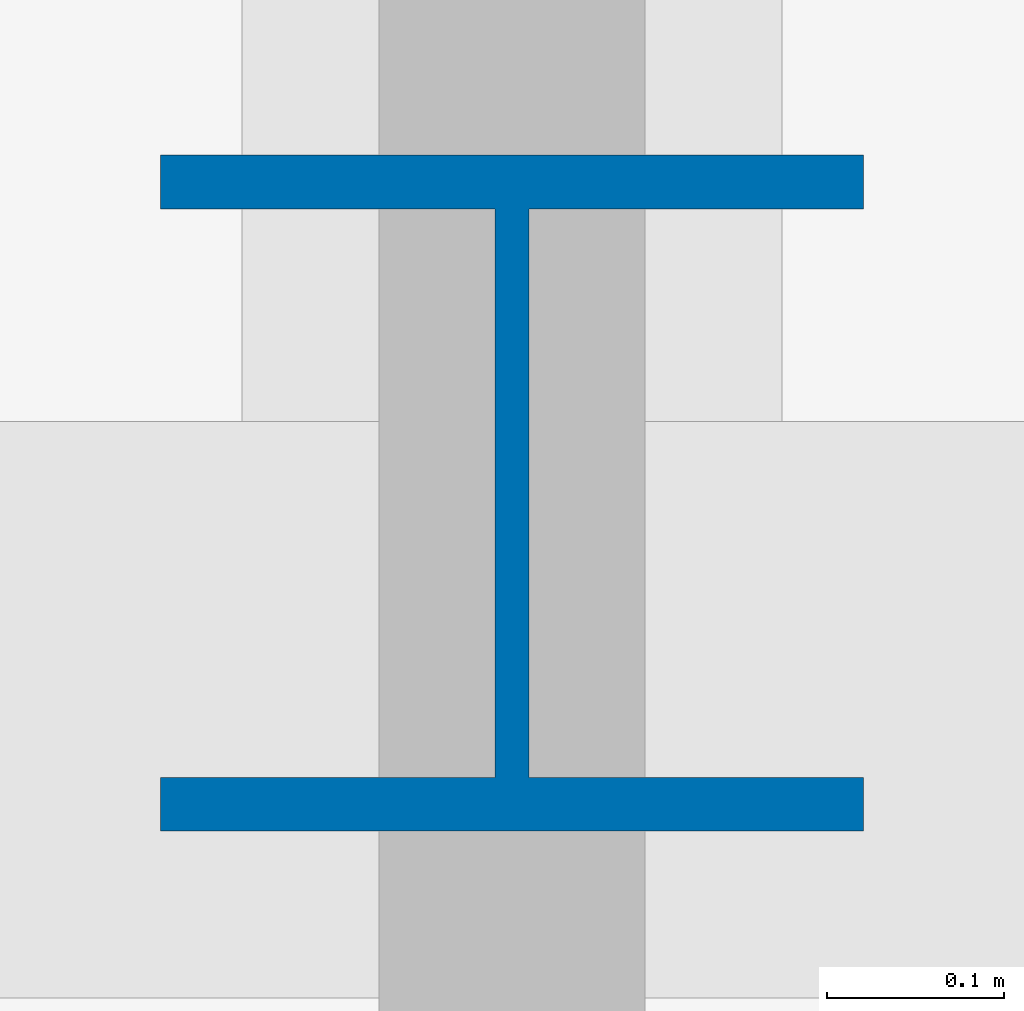
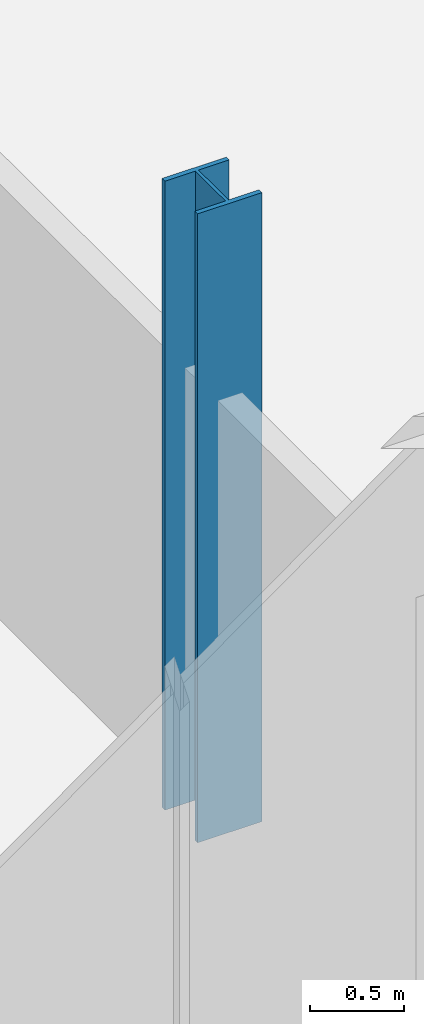
# One storey, part 2 of 21: 1 column.
"""IFC4 building model written with IfcOpenShell, lengths in metres."""

from ifc_helpers import new_model, si_unit, direction, frame, origin, origin_2d, place, context, subcontext, project, spatial, i_section, extrude, material, material_profile, profile_set, type_object, element, save


model = new_model("IFC4")

# Units and contexts
model_context = context("Model", 3, precision=1e-05, world=origin(), true_north=direction((0.0, 1.0)))
body_context = subcontext(model_context, "Body", "Model", "MODEL_VIEW")
ifc_project = project(units=[si_unit("LENGTHUNIT", "METRE"), si_unit("AREAUNIT", "SQUARE_METRE"), si_unit("VOLUMEUNIT", "CUBIC_METRE"), si_unit("PLANEANGLEUNIT", "RADIAN"), si_unit("MASSUNIT", "GRAM", prefix="KILO")], contexts=[model_context])

# Site, building, storey
site_placement = place(None, origin())
site = spatial("IfcSite", under=ifc_project, at=site_placement, CompositionType="ELEMENT")
building_placement = place(site_placement, origin())
building = spatial("IfcBuilding", under=site, at=building_placement, Name="Bicima Exchange Tower", CompositionType="ELEMENT")
storey_placement = place(building_placement, frame((0.0, 0.0, 173.199951171875)))
storey = spatial("IfcBuildingStorey", under=building, at=storey_placement, Name="L38", CompositionType="ELEMENT", Elevation=173.199951171875)

# Column
ifc_material = material(Name="Steel ASTM A992 Gr 50", Category="steel")
ifc_material_profile = material_profile(ifc_material, i_section(OverallWidth=0.396240234375, OverallDepth=0.381103515625, WebThickness=0.01904296875, FlangeThickness=0.0302734375, at=origin_2d()))
ifc_profile_set = profile_set([ifc_material_profile], Name="Steel ASTM A992 Gr 50")
column_type = type_object("IfcColumnType", Name="Perimeter column W14x159", PredefinedType="COLUMN", material=ifc_profile_set)
column_placement = place(storey_placement, frame((26.10009765625, -31.669921875, 0.0), z_axis=(0.0, 0.0, 1.0), x_axis=(1.0, 0.0, 0.0)))
element("IfcColumn", 1, at=column_placement, inside=storey, type_object=column_type, Name="Perimeter column grav+26.1f", PredefinedType="COLUMN", context=body_context, shape_type="SweptSolid", body=[
    extrude(i_section(OverallWidth=0.396240234375, OverallDepth=0.381103515625, WebThickness=0.01904296875, FlangeThickness=0.0302734375, at=origin_2d()), origin(), (0.0, 0.0, 1.0), 4.10009765625),
])

save(model, "model.ifc")
